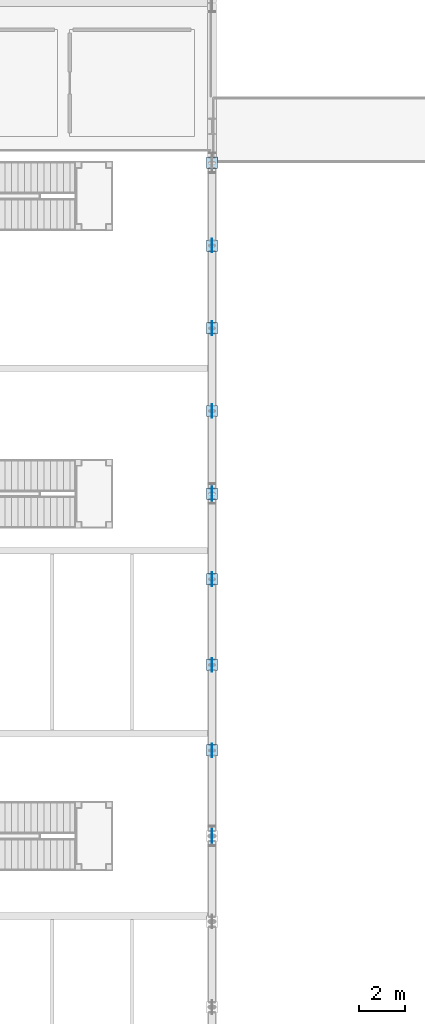
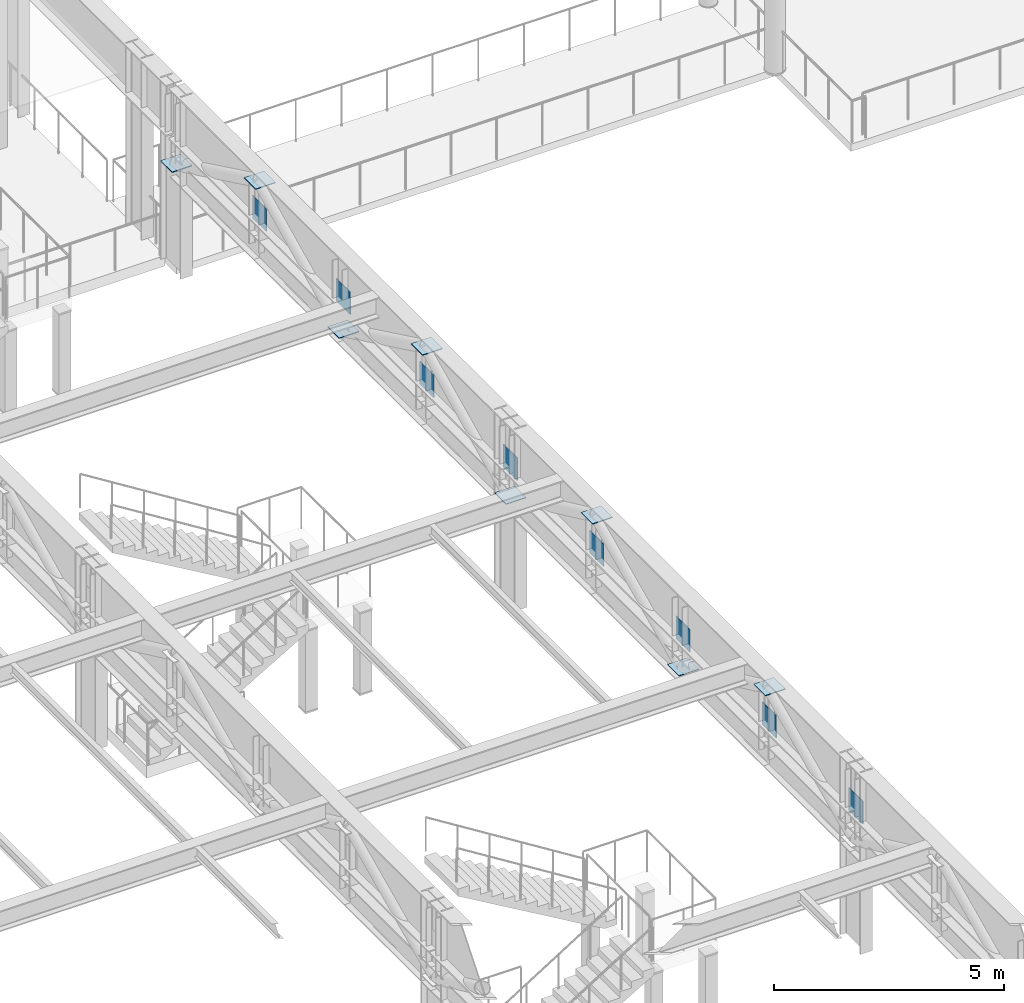
# One storey, part 82 of 143: 16 plates.
"""IFC4 building model written with IfcOpenShell, lengths in metres."""

import ifcopenshell
import ifcopenshell.guid

model = None  # the IFC model being written
_history = None  # IfcOwnerHistory: only IFC2X3 demands one
_inside = {}  # id of a spatial element -> (the spatial element, [elements in it])
_under = {}  # id of a project, library or spatial element -> (it, [spatial elements below it])
_declared = {}  # id of a project -> (the project, [libraries it declares])
_typed = {}  # id of a type object -> (the type object, [elements of that type])
_made_of = {}  # id of a material, layer set ... -> (it, [elements and type objects made of it])


def new_model(schema):
    """Start an empty IFC model of exactly this schema.

    Asked for "IFC4X3", IfcOpenShell would pick the latest addendum, in which some entities
    have other attributes; the version numbers below select the first issue.
    IFC2X3 requires an IfcOwnerHistory on every rooted entity: one is made here for all.
    """
    global model, _history
    if schema == "IFC4X3":
        model = ifcopenshell.file(schema_version=(4, 3, 0, 0))
    else:
        model = ifcopenshell.file(schema=schema)
    _inside.clear()
    _under.clear()
    _declared.clear()
    _typed.clear()
    _made_of.clear()
    _history = None
    if model.schema == "IFC2X3":
        org = make("IfcOrganization", Name="unknown")
        user = make(
            "IfcPersonAndOrganization",
            ThePerson=make("IfcPerson", FamilyName="unknown"),
            TheOrganization=org,
        )
        app = make(
            "IfcApplication",
            ApplicationDeveloper=org,
            Version="unknown",
            ApplicationFullName="unknown",
            ApplicationIdentifier="unknown",
        )
        _history = make(
            "IfcOwnerHistory",
            OwningUser=user,
            OwningApplication=app,
            ChangeAction="ADDED",
            CreationDate=0,
        )
    return model


def make(cls, **values):
    """One entity of the class cls with the attributes given. An attribute that is None is left unset."""
    return model.create_entity(
        cls, **{name: value for name, value in values.items() if value is not None}
    )


def rooted(cls, **values):
    """An entity with a GlobalId (a new one), such as an element, a storey or a relation."""
    return make(cls, GlobalId=ifcopenshell.guid.new(), OwnerHistory=_history, **values)


def si_unit(unit_type, name, prefix=None):
    """IfcSIUnit, for example si_unit("LENGTHUNIT", "METRE", prefix="MILLI")."""
    return make("IfcSIUnit", UnitType=unit_type, Prefix=prefix, Name=name)


def assignment(units):
    """IfcUnitAssignment: the units of a project."""
    return None if units is None else make("IfcUnitAssignment", Units=units)


def point(xyz):
    """IfcCartesianPoint."""
    return None if xyz is None else make("IfcCartesianPoint", Coordinates=xyz)


def direction(xyz):
    """IfcDirection."""
    return None if xyz is None else make("IfcDirection", DirectionRatios=xyz)


def frame(location, z_axis=None, x_axis=None):
    """IfcAxis2Placement3D, a coordinate frame: its origin and axes. An axis left out is left unset."""
    return make(
        "IfcAxis2Placement3D",
        Location=point(location),
        Axis=direction(z_axis),
        RefDirection=direction(x_axis),
    )


def frame_2d(location, x_axis=None):
    """IfcAxis2Placement2D, a coordinate frame in the plane: its origin and x axis."""
    return make(
        "IfcAxis2Placement2D", Location=point(location), RefDirection=direction(x_axis)
    )


def origin():
    """The frame at (0, 0, 0) with its axes left unset."""
    return frame((0.0, 0.0, 0.0))


def origin_2d():
    """The frame at (0, 0) in the plane with its x axis left unset."""
    return frame_2d((0.0, 0.0))


def place(relative_to, where):
    """IfcLocalPlacement: puts the frame where relative to a parent placement (None: the world)."""
    return make(
        "IfcLocalPlacement", PlacementRelTo=relative_to, RelativePlacement=where
    )


def context(
    kind, dimensions, precision=None, world=None, true_north=None, identifier=None
):
    """IfcGeometricRepresentationContext, for example the 3D "Model" context."""
    return make(
        "IfcGeometricRepresentationContext",
        ContextIdentifier=identifier,
        ContextType=kind,
        CoordinateSpaceDimension=dimensions,
        Precision=precision,
        WorldCoordinateSystem=world,
        TrueNorth=true_north,
    )


def subcontext(parent, identifier, kind, view, scale=None):
    """IfcGeometricRepresentationSubContext, for example "Body" below "Model"."""
    return make(
        "IfcGeometricRepresentationSubContext",
        ContextIdentifier=identifier,
        ContextType=kind,
        ParentContext=parent,
        TargetScale=scale,
        TargetView=view,
    )


def project(units=None, contexts=None):
    """IfcProject with its units and contexts."""
    return rooted(
        "IfcProject",
        Name="project",
        RepresentationContexts=contexts,
        UnitsInContext=assignment(units),
    )


def spatial(cls, under=None, at=None, **own):
    """A site, building, storey or space (cls), placed at a placement, below another one or the project."""
    s = rooted(cls, ObjectPlacement=at, **own)
    if under is not None:
        _under.setdefault(under.id(), (under, []))[1].append(s)
    return s


def profile(cls, at=None, kind="AREA", **sizes):
    """A parametric profile (cls). Its sizes go by their IFC names, for example OverallWidth=200.0."""
    return make(cls, ProfileType=kind, Position=at, **sizes)


def rectangle(**sizes):
    """IfcRectangleProfileDef."""
    return profile("IfcRectangleProfileDef", **sizes)


def extrude(swept, where, along, depth):
    """IfcExtrudedAreaSolid: the profile swept, set in the frame where, extruded along a direction by depth."""
    return make(
        "IfcExtrudedAreaSolid",
        SweptArea=swept,
        Position=where,
        ExtrudedDirection=direction(along),
        Depth=depth,
    )


def shape(context_of_items, identifier, shape_type, items):
    """IfcShapeRepresentation: the items that make up one representation, for example the "Body"."""
    return make(
        "IfcShapeRepresentation",
        ContextOfItems=context_of_items,
        RepresentationIdentifier=identifier,
        RepresentationType=shape_type,
        Items=items,
    )


def material(Name=None, Category=None):
    """IfcMaterial."""
    return make("IfcMaterial", Name=Name, Category=Category)


def layer(
    of_material, thickness, ventilated=None, Name=None, Category=None, Priority=None
):
    """IfcMaterialLayer: one layer of a wall or slab, of a material (None: an air gap)."""
    return make(
        "IfcMaterialLayer",
        Material=of_material,
        LayerThickness=thickness,
        IsVentilated=ventilated,
        Name=Name,
        Category=Category,
        Priority=Priority,
    )


def layer_set(layers, Name=None):
    """IfcMaterialLayerSet."""
    return make("IfcMaterialLayerSet", MaterialLayers=layers, LayerSetName=Name)


def made_of(thing, what):
    """Note that an element or type object is made of a material, layer set ...; save() writes the relation."""
    if what is not None:
        _made_of.setdefault(what.id(), (what, []))[1].append(thing)
    return thing


def type_object(cls, material=None, **own):
    """A type object (cls), such as IfcWallType, which elements share."""
    return made_of(rooted(cls, **own), material)


def element(
    cls,
    number,
    at=None,
    inside=None,
    cuts=None,
    type_object=None,
    material=None,
    context=None,
    identifier="Body",
    shape_type=None,
    held_by="IfcProductDefinitionShape",
    body=None,
    shapes=None,
    **own,
):
    """One element of the class cls, such as IfcWall. Its Tag is "e" and its number.

    at: its placement. inside: the storey or other place that contains it. cuts: it is an
    opening in that element (IfcRelVoidsElement). A single representation is given by context,
    identifier, shape_type and body (its items); several are given by shapes. held_by: the class
    of the entity that holds the representations. save() writes the other relations.
    """
    e = rooted(cls, Tag="e%d" % number, ObjectPlacement=at, **own)
    if body is not None:
        shapes = [shape(context, identifier, shape_type, body)]
    if shapes is not None:
        e.Representation = make(held_by, Representations=shapes)
    if inside is not None:
        _inside.setdefault(inside.id(), (inside, []))[1].append(e)
    if cuts is not None:
        rooted(
            "IfcRelVoidsElement", RelatingBuildingElement=cuts, RelatedOpeningElement=e
        )
    if type_object is not None:
        _typed.setdefault(type_object.id(), (type_object, []))[1].append(e)
    return made_of(e, material)


def aggregate(whole, parts):
    """IfcRelAggregates: a whole, such as a stair, and the parts it consists of."""
    return rooted("IfcRelAggregates", RelatingObject=whole, RelatedObjects=parts)


def save(model, path):
    """Write the relations noted so far, then the file.

    IfcRelAggregates (storeys below a building ...), IfcRelContainedInSpatialStructure (elements
    in a storey), IfcRelDefinesByType, IfcRelAssociatesMaterial and IfcRelDeclares: one each for
    every whole, place, type object, material and project.
    """
    for whole, parts in _under.values():
        aggregate(whole, parts)
    for where, things in _inside.values():
        rooted(
            "IfcRelContainedInSpatialStructure",
            RelatedElements=things,
            RelatingStructure=where,
        )
    for kind, things in _typed.values():
        rooted("IfcRelDefinesByType", RelatedObjects=things, RelatingType=kind)
    for what, things in _made_of.values():
        rooted("IfcRelAssociatesMaterial", RelatedObjects=things, RelatingMaterial=what)
    for by, libraries in _declared.values():
        rooted("IfcRelDeclares", RelatingContext=by, RelatedDefinitions=libraries)
    model.write(path)


model = new_model("IFC4")

# Units and contexts
model_context = context("Model", 3, precision=1e-05, world=origin(), true_north=direction((0.0, 1.0)))
body_context = subcontext(model_context, "Body", "Model", "MODEL_VIEW")
ifc_project = project(units=[si_unit("LENGTHUNIT", "METRE"), si_unit("AREAUNIT", "SQUARE_METRE"), si_unit("VOLUMEUNIT", "CUBIC_METRE"), si_unit("PLANEANGLEUNIT", "RADIAN"), si_unit("MASSUNIT", "GRAM", prefix="KILO")], contexts=[model_context])

# Site, building, storey
site_placement = place(None, origin())
site = spatial("IfcSite", under=ifc_project, at=site_placement, CompositionType="ELEMENT")
building_placement = place(site_placement, origin())
building = spatial("IfcBuilding", under=site, at=building_placement, Name="Marlcrest Central Station", CompositionType="ELEMENT")
storey_placement = place(building_placement, frame((0.0, 0.0, 4.800048828125)))
storey = spatial("IfcBuildingStorey", under=building, at=storey_placement, Name="L01", CompositionType="ELEMENT", Elevation=4.800048828125)

# Plates
ifc_material = material(Name="Steel S355", Category="steel")
ifc_layer_1 = layer(ifc_material, 0.02392578125, Name="GP-01")
ifc_layer_set_1 = layer_set([ifc_layer_1], Name="Steel S355")
plate_type_1 = type_object("IfcPlateType", Name="GP-01", PredefinedType="USERDEFINED", material=ifc_layer_set_1)
for number, where, z_axis, x_axis, name in (
    (1, (129.0, 66.0, 3.31982421875), (0.0, 0.0, 1.0), (1.0, 0.0, 0.0), "plt-truss-01199"),
    (2, (129.0, 69.75, 3.31982421875), (0.0, 0.0, 1.0), (1.0, 0.0, 0.0), "plt-truss-01201"),
    (3, (129.0, 73.5, 3.31982421875), (0.0, 0.0, 1.0), (1.0, 0.0, 0.0), "plt-truss-01203"),
    (4, (129.0, 77.25, 3.31982421875), (0.0, 0.0, 1.0), (1.0, 0.0, 0.0), "plt-truss-01205"),
    (5, (129.0, 81.0, 3.31982421875), (0.0, 0.0, 1.0), (1.0, 0.0, 0.0), "plt-truss-01207"),
    (6, (129.0, 84.625, 3.31982421875), (0.0, 0.0, 1.0), (1.0, 0.0, 0.0), "plt-truss-01209"),
    (7, (129.0, 88.25, 3.31982421875), (0.0, 0.0, 1.0), (1.0, 0.0, 0.0), "plt-truss-01211"),
    (8, (129.0, 91.875, 3.31982421875), (0.0, 0.0, 1.0), (1.0, 0.0, 0.0), "plt-truss-01213"),
):
    element("IfcPlate", number, at=place(storey_placement, frame(where, z_axis=z_axis, x_axis=x_axis)), inside=storey, type_object=plate_type_1, Name=name, ObjectType="GUSSET_PLATE", PredefinedType="USERDEFINED", context=body_context, shape_type="SweptSolid", body=[
        extrude(rectangle(XDim=0.02392578125, YDim=0.60009765625, at=origin_2d()), origin(), (0.0, 0.0, 1.0), 0.60009765625),
    ])
ifc_layer_2 = layer(ifc_material, 0.02001953125, Name="GP-03")
ifc_layer_set_2 = layer_set([ifc_layer_2], Name="Steel S355")
plate_type_2 = type_object("IfcPlateType", Name="GP-03", PredefinedType="USERDEFINED", material=ifc_layer_set_2)
for number, where, z_axis, x_axis, name in (
    (9, (129.0, 69.75, 4.48486328125), (0.0, 0.0, 1.0), (1.0, 0.0, 0.0), "plt-cap-01198"),
    (10, (129.0, 73.5, 2.73486328125), (0.0, 0.0, 1.0), (1.0, 0.0, 0.0), "plt-cap-01200"),
    (11, (129.0, 77.25, 4.48486328125), (0.0, 0.0, 1.0), (1.0, 0.0, 0.0), "plt-cap-01202"),
    (12, (129.0, 81.0, 2.73486328125), (0.0, 0.0, 1.0), (1.0, 0.0, 0.0), "plt-cap-01204"),
    (13, (129.0, 84.625, 4.48486328125), (0.0, 0.0, 1.0), (1.0, 0.0, 0.0), "plt-cap-01206"),
    (14, (129.0, 88.25, 2.73486328125), (0.0, 0.0, 1.0), (1.0, 0.0, 0.0), "plt-cap-01208"),
    (15, (129.0, 91.875, 4.48486328125), (0.0, 0.0, 1.0), (1.0, 0.0, 0.0), "plt-cap-01210"),
    (16, (129.0, 95.5, 2.73486328125), (0.0, 0.0, 1.0), (1.0, 0.0, 0.0), "plt-cap-01212"),
):
    element("IfcPlate", number, at=place(storey_placement, frame(where, z_axis=z_axis, x_axis=x_axis)), inside=storey, type_object=plate_type_2, Name=name, ObjectType="GUSSET_PLATE", PredefinedType="USERDEFINED", context=body_context, shape_type="SweptSolid", body=[
        extrude(rectangle(XDim=0.5, YDim=0.5, at=origin_2d()), origin(), (0.0, 0.0, 1.0), 0.02001953125),
    ])

save(model, "model.ifc")
